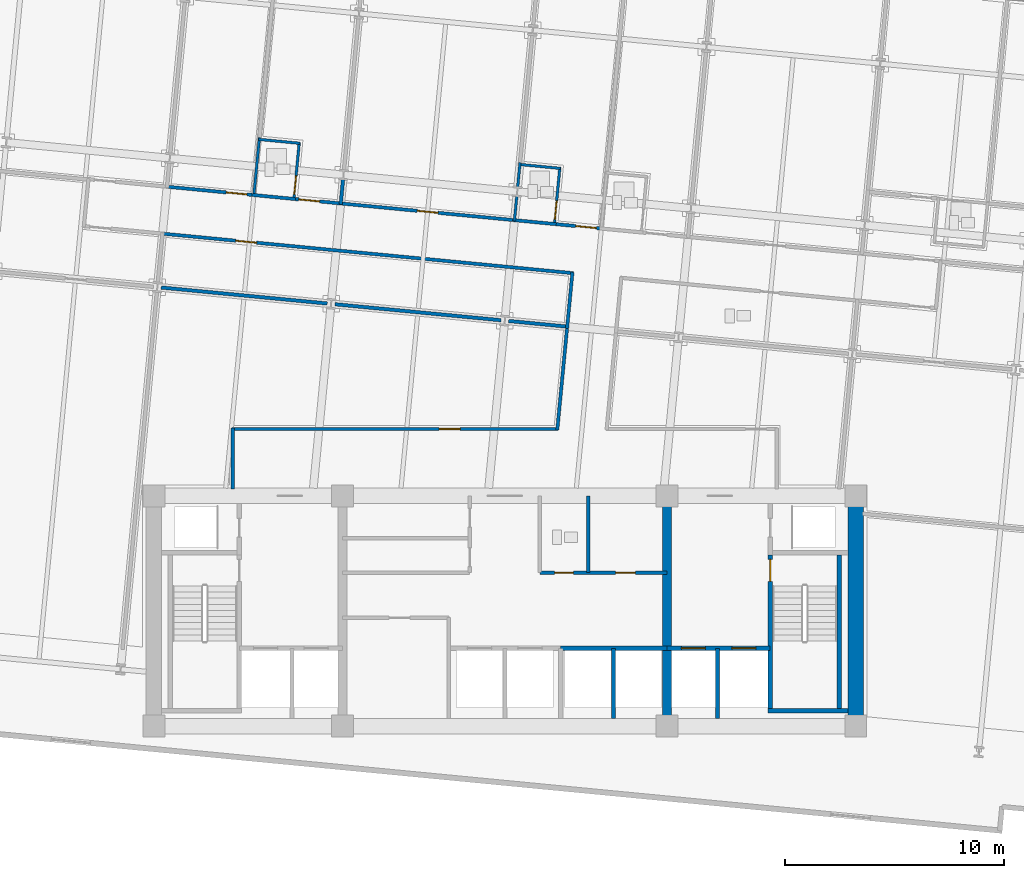
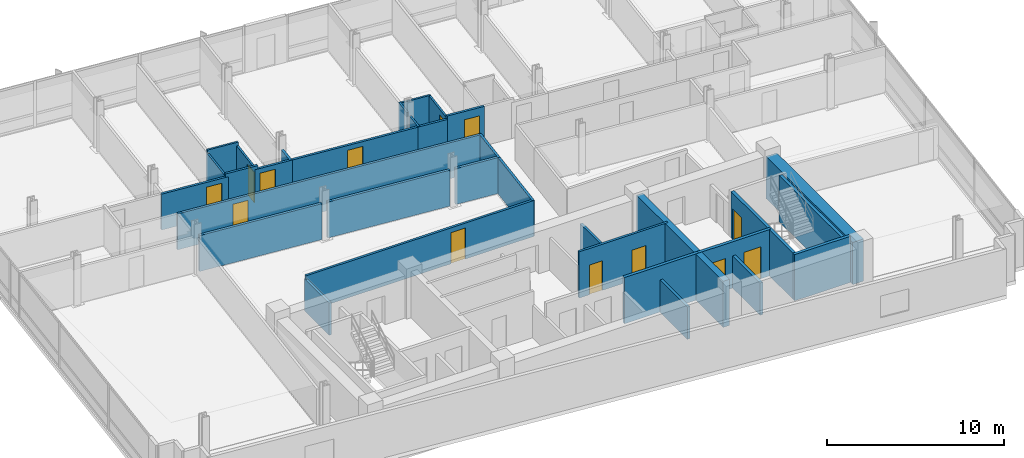
# One storey, part 11 of 17: 33 walls, 13 doors, 13 openings.
"""IFC4 building model written with IfcOpenShell, lengths in metres."""

from ifc_helpers import new_model, si_unit, direction, frame, frame_2d, origin, place, context, subcontext, project, spatial, rectangle, extrude, material, layer, layer_set, type_object, element, fill, save


model = new_model("IFC4")

# Units and contexts
model_context = context("Model", 3, precision=1e-05, world=origin(), true_north=direction((0.0, 1.0)))
body_context = subcontext(model_context, "Body", "Model", "MODEL_VIEW")
ifc_project = project(units=[si_unit("LENGTHUNIT", "METRE"), si_unit("AREAUNIT", "SQUARE_METRE"), si_unit("VOLUMEUNIT", "CUBIC_METRE"), si_unit("PLANEANGLEUNIT", "RADIAN"), si_unit("MASSUNIT", "GRAM", prefix="KILO")], contexts=[model_context])

# Site, building, storey
site_placement = place(None, origin())
site = spatial("IfcSite", under=ifc_project, at=site_placement, CompositionType="ELEMENT")
building_placement = place(site_placement, origin())
building = spatial("IfcBuilding", under=site, at=building_placement, Name="Solmavex Isthmus Hotel", CompositionType="ELEMENT")
storey_placement = place(building_placement, frame((0.0, 0.0, 173.85009765625)))
storey = spatial("IfcBuildingStorey", under=building, at=storey_placement, Name="L47", CompositionType="ELEMENT", Elevation=173.85009765625)

# Walls
ifc_material_1 = material(Name="Gypsum plasterboard lining", Category="gypsum")
ifc_layer_1 = layer(ifc_material_1, 0.159912109375)
ifc_layer_set_1 = layer_set([ifc_layer_1], Name="Gypsum plasterboard lining")
wall_type_1 = type_object("IfcWallType", Name="IW-COMP-160", PredefinedType="PARTITIONING", material=ifc_layer_set_1)
wall_1_placement = place(storey_placement, frame((-7.36865234375, 11.95849609375, 0.0), z_axis=(0.0, 0.0, 1.0), x_axis=(-0.095831494917, -0.995397571115, 0.0)))
element("IfcWall", 1, at=wall_1_placement, inside=storey, type_object=wall_type_1, Name="Interior Partition Wall W-L47-P034", PredefinedType="PARTITIONING", context=body_context, shape_type="SweptSolid", body=[
    extrude(rectangle(XDim=1.171875, YDim=0.159912109375, at=frame_2d((0.5859375, 0.0))), origin(), (0.0, 0.0, 1.0), 2.4794921875),
])
for number, where, z_axis, x_axis, name in (
    (2, (-8.09326171875, 6.269775390625, 0.0), (0.0, 0.0, 1.0), (-0.995396962155, 0.095837819954, 0.0), "Interior Partition Wall W-L47-P070"),
    (3, (-0.173828125, 5.507080078125, 0.0), (0.0, 0.0, 1.0), (-0.995393898805, 0.095869631385, 0.0), "Interior Partition Wall W-L47-P071"),
):
    element("IfcWall", number, at=place(storey_placement, frame(where, z_axis=z_axis, x_axis=x_axis)), inside=storey, type_object=wall_type_1, Name=name, PredefinedType="PARTITIONING", context=body_context, shape_type="SweptSolid", body=[
        extrude(rectangle(XDim=7.60400390625, YDim=0.159912109375, at=frame_2d((3.802001953125, 0.0))), origin(), (0.0, 0.0, 1.0), 2.4794921875),
    ])
wall_2_placement = place(storey_placement, frame((2.885986328125, 5.212646484375, 0.0), z_axis=(0.0, 0.0, 1.0), x_axis=(-0.995401466761, 0.095791022391, 0.0)))
element("IfcWall", 4, at=wall_2_placement, inside=storey, type_object=wall_type_1, Name="Interior Partition Wall W-L47-P072", PredefinedType="PARTITIONING", context=body_context, shape_type="SweptSolid", body=[
    extrude(rectangle(XDim=2.721923828125, YDim=0.159912109375, at=frame_2d((1.36083984375, 0.0))), origin(), (0.0, 0.0, 1.0), 2.4794921875),
])

# Wall, openings, doors
ifc_layer_2 = layer(ifc_material_1, 0.14990234375)
ifc_layer_set_2 = layer_set([ifc_layer_2], Name="Gypsum plasterboard lining")
wall_type_2 = type_object("IfcWallType", Name="IW-CORR-150", PredefinedType="PARTITIONING", material=ifc_layer_set_2)
wall_3_placement = place(storey_placement, frame((1.60009765625, -6.0, 0.0), z_axis=(0.0, 0.0, 1.0), x_axis=(1.0, 0.0, 0.0)))
wall_3 = element("IfcWall", 5, at=wall_3_placement, inside=storey, type_object=wall_type_2, Name="Interior Partition Wall W-L47-BOH-ES", PredefinedType="PARTITIONING", context=body_context, shape_type="SweptSolid", body=[
    extrude(rectangle(XDim=5.7998046875, YDim=0.14990234375, at=frame_2d((2.89990234375, 0.0))), origin(), (0.0, 0.0, 1.0), 3.18994140625),
])
opening_1_placement = place(wall_3_placement, frame((0.675048828125, 0.0, 0.0)))
opening_1 = element("IfcOpeningElement", 6, at=opening_1_placement, cuts=wall_3, Name="Opening ID-R085", PredefinedType="OPENING", context=body_context, shape_type="SweptSolid", body=[
    extrude(rectangle(XDim=0.85009765625, YDim=2.050048828125, at=frame_2d((0.425048828125, 1.02490234375))), frame((0.0, 0.0849609375, 0.0), z_axis=(0.0, -1.0, 0.0), x_axis=(1.0, 0.0, 0.0)), (0.0, 0.0, 1.0), 0.169921875),
])
opening_2_placement = place(wall_3_placement, frame((3.449951171875, 0.0, 0.0)))
opening_2 = element("IfcOpeningElement", 7, at=opening_2_placement, cuts=wall_3, Name="Opening ID-C090", PredefinedType="OPENING", context=body_context, shape_type="SweptSolid", body=[
    extrude(rectangle(XDim=0.89990234375, YDim=2.10009765625, at=frame_2d((0.449951171875, 1.050048828125))), frame((0.0, 0.0849609375, 0.0), z_axis=(0.0, -1.0, 0.0), x_axis=(1.0, 0.0, 0.0)), (0.0, 0.0, 1.0), 0.169921875),
])
ifc_material_2 = material(Name="Steel ASTM A500 Grade C", Category="steel")
door_type_1 = type_object("IfcDoorType", Name="IDR-FD60-0850", OperationType="NOTDEFINED", PredefinedType="DOOR", material=ifc_material_2)
door_1_placement = place(opening_1_placement, frame((0.85009765625, 0.0, 0.0), z_axis=(0.0, 0.0, 1.0), x_axis=(-1.0, 0.0, 0.0)))
door_1 = element("IfcDoor", 8, at=door_1_placement, inside=storey, type_object=door_type_1, Name="Staff WC Door L47", OperationType="SINGLE_SWING_LEFT", OverallHeight=2.050048828125, OverallWidth=0.85009765625, PredefinedType="DOOR", context=body_context, shape_type="SweptSolid", body=[
    extrude(rectangle(XDim=0.85009765625, YDim=2.050048828125, at=frame_2d((0.425048828125, 1.02490234375))), frame((0.0, 0.02490234375, 0.0), z_axis=(0.0, -1.0, 0.0), x_axis=(1.0, 0.0, 0.0)), (0.0, 0.0, 1.0), 0.050048828125),
])
fill(opening_1, door_1)
ifc_material_3 = material(Name="Hardwood timber", Category="wood")
door_type_2 = type_object("IfcDoorType", Name="IDR-FD60-0900", OperationType="NOTDEFINED", PredefinedType="DOOR", material=ifc_material_3)
door_2_placement = place(opening_2_placement, frame((0.89990234375, 0.0, 0.0), z_axis=(0.0, 0.0, 1.0), x_axis=(-1.0, 0.0, 0.0)))
door_2 = element("IfcDoor", 9, at=door_2_placement, inside=storey, type_object=door_type_2, Name="Room Service Door L47", OperationType="SINGLE_SWING_RIGHT", OverallHeight=2.10009765625, OverallWidth=0.89990234375, PredefinedType="DOOR", context=body_context, shape_type="SweptSolid", body=[
    extrude(rectangle(XDim=0.89990234375, YDim=2.10009765625, at=frame_2d((0.449951171875, 1.050048828125))), frame((0.0, 0.02490234375, 0.0), z_axis=(0.0, -1.0, 0.0), x_axis=(1.0, 0.0, 0.0)), (0.0, 0.0, 1.0), 0.050048828125),
])
fill(opening_2, door_2)

# Wall, opening, door
wall_4_placement = place(storey_placement, frame((-15.478271484375, 11.60205078125, 0.0), z_axis=(0.0, 0.0, 1.0), x_axis=(0.995396926245, -0.095838192922, 0.0)))
wall_4 = element("IfcWall", 10, at=wall_4_placement, inside=storey, type_object=wall_type_2, Name="Interior Partition Wall W-L47-P002", PredefinedType="PARTITIONING", context=body_context, shape_type="SweptSolid", body=[
    extrude(rectangle(XDim=4.14208984375, YDim=0.14990234375, at=frame_2d((2.071044921875, 0.0))), origin(), (0.0, 0.0, 1.0), 2.4794921875),
])
opening_3_placement = place(wall_4_placement, frame((2.790283203125, 0.0, 0.0)))
opening_3 = element("IfcOpeningElement", 11, at=opening_3_placement, cuts=wall_4, Name="Opening ID-C095", PredefinedType="OPENING", context=body_context, shape_type="SweptSolid", body=[
    extrude(rectangle(XDim=0.949951171875, YDim=2.14990234375, at=frame_2d((0.47509765625, 1.074951171875))), frame((0.0, 0.0849609375, 0.0), z_axis=(0.0, -1.0, 0.0), x_axis=(1.0, 0.0, 0.0)), (0.0, 0.0, 1.0), 0.169921875),
])
door_type_3 = type_object("IfcDoorType", Name="IDR-FD60-0950", OperationType="NOTDEFINED", PredefinedType="DOOR", material=ifc_material_3)
door_3_placement = place(opening_3_placement, frame((0.949951171875, 0.0, 0.0), z_axis=(0.0, 0.0, 1.0), x_axis=(-1.0, 0.0, 0.0)))
door_3 = element("IfcDoor", 12, at=door_3_placement, inside=storey, type_object=door_type_3, Name="Consultation Care Room Door L47-02", OperationType="SINGLE_SWING_RIGHT", OverallHeight=2.14990234375, OverallWidth=0.949951171875, PredefinedType="DOOR", context=body_context, shape_type="SweptSolid", body=[
    extrude(rectangle(XDim=0.949951171875, YDim=2.14990234375, at=frame_2d((0.47509765625, 1.074951171875))), frame((0.0, 0.02490234375, 0.0), z_axis=(0.0, -1.0, 0.0), x_axis=(1.0, 0.0, 0.0)), (0.0, 0.0, 1.0), 0.050048828125),
])
fill(opening_3, door_3)

wall_5_placement = place(storey_placement, frame((-9.697021484375, 11.04541015625, 0.0), z_axis=(0.0, 0.0, 1.0), x_axis=(0.995393345625, -0.095875374756, 0.0)))
wall_5 = element("IfcWall", 13, at=wall_5_placement, inside=storey, type_object=wall_type_2, Name="Interior Partition Wall W-L47-P003", PredefinedType="PARTITIONING", context=body_context, shape_type="SweptSolid", body=[
    extrude(rectangle(XDim=2.312255859375, YDim=0.14990234375, at=frame_2d((1.15625, 0.0))), origin(), (0.0, 0.0, 1.0), 2.4794921875),
])
opening_4_placement = place(wall_5_placement, frame((0.30615234375, 0.0, 0.0)))
opening_4 = element("IfcOpeningElement", 14, at=opening_4_placement, cuts=wall_5, Name="Opening ID-C095", PredefinedType="OPENING", context=body_context, shape_type="SweptSolid", body=[
    extrude(rectangle(XDim=0.949951171875, YDim=2.14990234375, at=frame_2d((0.47509765625, 1.074951171875))), frame((0.0, 0.0849609375, 0.0), z_axis=(0.0, -1.0, 0.0), x_axis=(1.0, 0.0, 0.0)), (0.0, 0.0, 1.0), 0.169921875),
])
door_4_placement = place(opening_4_placement, frame((0.949951171875, 0.0, 0.0), z_axis=(0.0, 0.0, 1.0), x_axis=(-1.0, 0.0, 0.0)))
door_4 = element("IfcDoor", 15, at=door_4_placement, inside=storey, type_object=door_type_3, Name="Wellness Premier Suite Door L47-03", OperationType="SINGLE_SWING_LEFT", OverallHeight=2.14990234375, OverallWidth=0.949951171875, PredefinedType="DOOR", context=body_context, shape_type="SweptSolid", body=[
    extrude(rectangle(XDim=0.949951171875, YDim=2.14990234375, at=frame_2d((0.47509765625, 1.074951171875))), frame((0.0, 0.02490234375, 0.0), z_axis=(0.0, -1.0, 0.0), x_axis=(1.0, 0.0, 0.0)), (0.0, 0.0, 1.0), 0.050048828125),
])
fill(opening_4, door_4)

# Wall
wall_6_placement = place(storey_placement, frame((-11.5185546875, 11.220947265625, 0.0), z_axis=(0.0, 0.0, 1.0), x_axis=(0.995394211968, -0.095866379824, 0.0)))
element("IfcWall", 16, at=wall_6_placement, inside=storey, type_object=wall_type_2, Name="Interior Partition Wall W-L47-P004", PredefinedType="PARTITIONING", context=body_context, shape_type="SweptSolid", body=[
    extrude(rectangle(XDim=1.994140625, YDim=0.14990234375, at=frame_2d((0.9970703125, 0.0))), origin(), (0.0, 0.0, 1.0), 2.718017578125),
])

# Wall, opening, door
wall_7_placement = place(storey_placement, frame((-7.558837890625, 10.839599609375, 0.0), z_axis=(0.0, 0.0, 1.0), x_axis=(0.995395467524, -0.095853342309, 0.0)))
wall_7 = element("IfcWall", 17, at=wall_7_placement, inside=storey, type_object=wall_type_2, Name="Interior Partition Wall W-L47-P005", PredefinedType="PARTITIONING", context=body_context, shape_type="SweptSolid", body=[
    extrude(rectangle(XDim=8.119873046875, YDim=0.14990234375, at=frame_2d((4.06005859375, 0.0))), origin(), (0.0, 0.0, 1.0), 2.4794921875),
])
opening_5_placement = place(wall_7_placement, frame((3.5849609375, 0.0, 0.0)))
opening_5 = element("IfcOpeningElement", 18, at=opening_5_placement, cuts=wall_7, Name="Opening ID-C095", PredefinedType="OPENING", context=body_context, shape_type="SweptSolid", body=[
    extrude(rectangle(XDim=0.949951171875, YDim=2.14990234375, at=frame_2d((0.47509765625, 1.074951171875))), frame((0.0, 0.0849609375, 0.0), z_axis=(0.0, -1.0, 0.0), x_axis=(1.0, 0.0, 0.0)), (0.0, 0.0, 1.0), 0.169921875),
])
door_5_placement = place(opening_5_placement, frame((0.949951171875, 0.0, 0.0), z_axis=(0.0, 0.0, 1.0), x_axis=(-1.0, 0.0, 0.0)))
door_5 = element("IfcDoor", 19, at=door_5_placement, inside=storey, type_object=door_type_3, Name="Yoga and Fitness Studio Door L47-05", OperationType="SINGLE_SWING_LEFT", OverallHeight=2.14990234375, OverallWidth=0.949951171875, PredefinedType="DOOR", context=body_context, shape_type="SweptSolid", body=[
    extrude(rectangle(XDim=0.949951171875, YDim=2.14990234375, at=frame_2d((0.47509765625, 1.074951171875))), frame((0.0, 0.02490234375, 0.0), z_axis=(0.0, -1.0, 0.0), x_axis=(1.0, 0.0, 0.0)), (0.0, 0.0, 1.0), 0.050048828125),
])
fill(opening_5, door_5)

wall_8_placement = place(storey_placement, frame((2.181884765625, 9.901611328125, 0.0), z_axis=(0.0, 0.0, 1.0), x_axis=(0.995393345625, -0.095875374756, 0.0)))
wall_8 = element("IfcWall", 20, at=wall_8_placement, inside=storey, type_object=wall_type_2, Name="Interior Partition Wall W-L47-P006", PredefinedType="PARTITIONING", context=body_context, shape_type="SweptSolid", body=[
    extrude(rectangle(XDim=2.312255859375, YDim=0.14990234375, at=frame_2d((1.15625, 0.0))), origin(), (0.0, 0.0, 1.0), 2.718017578125),
])
opening_6_placement = place(wall_8_placement, frame((1.05615234375, 0.0, 0.0)))
opening_6 = element("IfcOpeningElement", 21, at=opening_6_placement, cuts=wall_8, Name="Opening ID-C095", PredefinedType="OPENING", context=body_context, shape_type="SweptSolid", body=[
    extrude(rectangle(XDim=0.949951171875, YDim=2.14990234375, at=frame_2d((0.47509765625, 1.074951171875))), frame((0.0, 0.0849609375, 0.0), z_axis=(0.0, -1.0, 0.0), x_axis=(1.0, 0.0, 0.0)), (0.0, 0.0, 1.0), 0.169921875),
])
door_6_placement = place(opening_6_placement, frame((0.949951171875, 0.0, 0.0), z_axis=(0.0, 0.0, 1.0), x_axis=(-1.0, 0.0, 0.0)))
door_6 = element("IfcDoor", 22, at=door_6_placement, inside=storey, type_object=door_type_3, Name="Spa Diplomatic Suite Door L47-06", OperationType="SINGLE_SWING_RIGHT", OverallHeight=2.14990234375, OverallWidth=0.949951171875, PredefinedType="DOOR", context=body_context, shape_type="SweptSolid", body=[
    extrude(rectangle(XDim=0.949951171875, YDim=2.14990234375, at=frame_2d((0.47509765625, 1.074951171875))), frame((0.0, 0.02490234375, 0.0), z_axis=(0.0, -1.0, 0.0), x_axis=(1.0, 0.0, 0.0)), (0.0, 0.0, 1.0), 0.050048828125),
])
fill(opening_6, door_6)

# Walls
wall_9_placement = place(storey_placement, frame((0.360595703125, 10.076904296875, 0.0), z_axis=(0.0, 0.0, 1.0), x_axis=(0.995404765434, -0.095756738414, 0.0)))
element("IfcWall", 23, at=wall_9_placement, inside=storey, type_object=wall_type_2, Name="Interior Partition Wall W-L47-P007", PredefinedType="PARTITIONING", context=body_context, shape_type="SweptSolid", body=[
    extrude(rectangle(XDim=1.993896484375, YDim=0.14990234375, at=frame_2d((0.9970703125, 0.0))), origin(), (0.0, 0.0, 1.0), 2.4794921875),
])
wall_10_placement = place(storey_placement, frame((2.83837890625, 5.134765625, 0.0), z_axis=(0.0, 0.0, 1.0), x_axis=(0.095772090971, 0.995403288417, 0.0)))
element("IfcWall", 24, at=wall_10_placement, inside=storey, type_object=wall_type_2, Name="Interior Partition Wall W-L47-P018", PredefinedType="PARTITIONING", context=body_context, shape_type="SweptSolid", body=[
    extrude(rectangle(XDim=2.572021484375, YDim=0.14990234375, at=frame_2d((1.2861328125, 0.0))), origin(), (0.0, 0.0, 1.0), 2.4794921875),
])

# Wall, opening, door
wall_11_placement = place(storey_placement, frame((3.120849609375, 7.6513671875, 0.0), z_axis=(0.0, 0.0, 1.0), x_axis=(-0.995397135603, 0.095836018457, 0.0)))
wall_11 = element("IfcWall", 25, at=wall_11_placement, inside=storey, type_object=wall_type_2, Name="Interior Partition Wall W-L47-P019", PredefinedType="PARTITIONING", context=body_context, shape_type="SweptSolid", body=[
    extrude(rectangle(XDim=18.89208984375, YDim=0.14990234375, at=frame_2d((9.446044921875, 0.0))), origin(), (0.0, 0.0, 1.0), 2.4794921875),
])
opening_7_placement = place(wall_11_placement, frame((14.501708984375, 0.0, 0.0)))
opening_7 = element("IfcOpeningElement", 26, at=opening_7_placement, cuts=wall_11, Name="Opening ID-C095", PredefinedType="OPENING", context=body_context, shape_type="SweptSolid", body=[
    extrude(rectangle(XDim=0.949951171875, YDim=2.14990234375, at=frame_2d((0.47509765625, 1.074951171875))), frame((0.0, 0.0849609375, 0.0), z_axis=(0.0, -1.0, 0.0), x_axis=(1.0, 0.0, 0.0)), (0.0, 0.0, 1.0), 0.169921875),
])
door_7_placement = place(opening_7_placement, frame((0.949951171875, 0.0, 0.0), z_axis=(0.0, 0.0, 1.0), x_axis=(-1.0, 0.0, 0.0)))
door_7 = element("IfcDoor", 27, at=door_7_placement, inside=storey, type_object=door_type_3, Name="Catering Servery Kitchen Door L47-18", OperationType="SINGLE_SWING_RIGHT", OverallHeight=2.14990234375, OverallWidth=0.949951171875, PredefinedType="DOOR", context=body_context, shape_type="SweptSolid", body=[
    extrude(rectangle(XDim=0.949951171875, YDim=2.14990234375, at=frame_2d((0.47509765625, 1.074951171875))), frame((0.0, 0.02490234375, 0.0), z_axis=(0.0, -1.0, 0.0), x_axis=(1.0, 0.0, 0.0)), (0.0, 0.0, 1.0), 0.050048828125),
])
fill(opening_7, door_7)

# Wall
wall_12_placement = place(storey_placement, frame((-12.39990234375, -2.18994140625, 0.0), z_axis=(0.0, 0.0, 1.0), x_axis=(0.0, 1.0, 0.0)))
element("IfcWall", 28, at=wall_12_placement, inside=storey, type_object=wall_type_2, Name="Interior Partition Wall W-L47-P023", PredefinedType="PARTITIONING", context=body_context, shape_type="SweptSolid", body=[
    extrude(rectangle(XDim=2.780029296875, YDim=0.14990234375, at=frame_2d((1.39013671875, 0.0))), origin(), (0.0, 0.0, 1.0), 2.224853515625),
])

# Wall, opening, door
wall_13_placement = place(storey_placement, frame((-12.43994140625, 0.550048828125, 0.0), z_axis=(0.0, 0.0, 1.0), x_axis=(1.0, 0.0, 0.0)))
wall_13 = element("IfcWall", 29, at=wall_13_placement, inside=storey, type_object=wall_type_2, Name="Interior Partition Wall W-L47-P024", PredefinedType="PARTITIONING", context=body_context, shape_type="SweptSolid", body=[
    extrude(rectangle(XDim=14.876708984375, YDim=0.14990234375, at=frame_2d((7.4384765625, 0.0))), origin(), (0.0, 0.0, 1.0), 2.4794921875),
])
opening_8_placement = place(wall_13_placement, frame((9.44921875, 0.0, 0.0)))
opening_8 = element("IfcOpeningElement", 30, at=opening_8_placement, cuts=wall_13, Name="Opening ID-C095", PredefinedType="OPENING", context=body_context, shape_type="SweptSolid", body=[
    extrude(rectangle(XDim=0.949951171875, YDim=2.14990234375, at=frame_2d((0.47509765625, 1.074951171875))), frame((0.0, 0.0849609375, 0.0), z_axis=(0.0, -1.0, 0.0), x_axis=(1.0, 0.0, 0.0)), (0.0, 0.0, 1.0), 0.169921875),
])
door_8_placement = place(opening_8_placement, frame((0.949951171875, 0.0, 0.0), z_axis=(0.0, 0.0, 1.0), x_axis=(-1.0, 0.0, 0.0)))
door_8 = element("IfcDoor", 31, at=door_8_placement, inside=storey, type_object=door_type_3, Name="Catering Servery Kitchen Door L47-22", OperationType="SINGLE_SWING_RIGHT", OverallHeight=2.14990234375, OverallWidth=0.949951171875, PredefinedType="DOOR", context=body_context, shape_type="SweptSolid", body=[
    extrude(rectangle(XDim=0.949951171875, YDim=2.14990234375, at=frame_2d((0.47509765625, 1.074951171875))), frame((0.0, 0.02490234375, 0.0), z_axis=(0.0, -1.0, 0.0), x_axis=(1.0, 0.0, 0.0)), (0.0, 0.0, 1.0), 0.050048828125),
])
fill(opening_8, door_8)

# Walls
wall_14_placement = place(storey_placement, frame((2.39306640625, 0.51025390625, 0.0), z_axis=(0.0, 0.0, 1.0), x_axis=(0.095829431913, 0.995397769728, 0.0)))
element("IfcWall", 32, at=wall_14_placement, inside=storey, type_object=wall_type_2, Name="Interior Partition Wall W-L47-P025", PredefinedType="PARTITIONING", context=body_context, shape_type="SweptSolid", body=[
    extrude(rectangle(XDim=4.81005859375, YDim=0.14990234375, at=frame_2d((2.405029296875, 0.0))), origin(), (0.0, 0.0, 1.0), 2.4794921875),
])
ifc_layer_3 = layer(ifc_material_1, 0.1201171875)
ifc_layer_set_3 = layer_set([ifc_layer_3], Name="Gypsum plasterboard lining")
wall_type_3 = type_object("IfcWallType", Name="IW-PART-120", PredefinedType="PARTITIONING", material=ifc_layer_set_3)
wall_15_placement = place(storey_placement, frame((3.800048828125, -6.0, 0.0), z_axis=(0.0, 0.0, 1.0), x_axis=(0.0, 1.0, 0.0)))
element("IfcWall", 33, at=wall_15_placement, inside=storey, type_object=wall_type_3, Name="Interior Partition Wall W-L47-BOH-EM3", PredefinedType="PARTITIONING", context=body_context, shape_type="SweptSolid", body=[
    extrude(rectangle(XDim=3.5, YDim=0.14990234375, at=frame_2d((1.75, 0.0))), origin(), (0.0, 0.0, 1.0), 2.224853515625),
])
wall_16_placement = place(storey_placement, frame((-11.1845703125, 13.832763671875, 0.0), z_axis=(0.0, 0.0, 1.0), x_axis=(-0.095848206737, -0.99539596205, 0.0)))
element("IfcWall", 34, at=wall_16_placement, inside=storey, type_object=wall_type_3, Name="Interior Partition Wall W-L47-P031", PredefinedType="PARTITIONING", context=body_context, shape_type="SweptSolid", body=[
    extrude(rectangle(XDim=2.671875, YDim=0.1201171875, at=frame_2d((1.3359375, 0.0))), origin(), (0.0, 0.0, 1.0), 2.4794921875),
])

# Wall, opening, door
wall_17_placement = place(storey_placement, frame((-9.619384765625, 10.997802734375, 0.0), z_axis=(0.0, 0.0, 1.0), x_axis=(0.095891053428, 0.995391835345, 0.0)))
wall_17 = element("IfcWall", 35, at=wall_17_placement, inside=storey, type_object=wall_type_3, Name="Interior Partition Wall W-L47-P032", PredefinedType="PARTITIONING", context=body_context, shape_type="SweptSolid", body=[
    extrude(rectangle(XDim=2.630126953125, YDim=0.1201171875, at=frame_2d((1.31494140625, 0.0))), origin(), (0.0, 0.0, 1.0), 2.4794921875),
])
opening_9_placement = place(wall_17_placement, frame((0.247314453125, 0.0, 0.0)))
opening_9 = element("IfcOpeningElement", 36, at=opening_9_placement, cuts=wall_17, Name="Opening ID-U085", PredefinedType="OPENING", context=body_context, shape_type="SweptSolid", body=[
    extrude(rectangle(XDim=0.85009765625, YDim=2.10009765625, at=frame_2d((0.425048828125, 1.050048828125))), frame((0.0, 0.070068359375, 0.0), z_axis=(0.0, -1.0, 0.0), x_axis=(1.0, 0.0, 0.0)), (0.0, 0.0, 1.0), 0.14013671875),
])
door_type_4 = type_object("IfcDoorType", Name="IDR-UNR-0850", OperationType="NOTDEFINED", PredefinedType="DOOR", material=ifc_material_3)
door_9_placement = place(opening_9_placement, origin())
door_9 = element("IfcDoor", 37, at=door_9_placement, inside=storey, type_object=door_type_4, Name="En-suite Bathroom Door L47-04", OperationType="SINGLE_SWING_RIGHT", OverallHeight=2.10009765625, OverallWidth=0.85009765625, PredefinedType="DOOR", context=body_context, shape_type="SweptSolid", body=[
    extrude(rectangle(XDim=0.85009765625, YDim=2.10009765625, at=frame_2d((0.425048828125, 1.050048828125))), frame((0.0, 0.02490234375, 0.0), z_axis=(0.0, -1.0, 0.0), x_axis=(1.0, 0.0, 0.0)), (0.0, 0.0, 1.0), 0.050048828125),
])
fill(opening_9, door_9)

# Walls
wall_18_placement = place(storey_placement, frame((-9.331298828125, 13.572021484375, 0.0), z_axis=(0.0, 0.0, 1.0), x_axis=(-0.995393793358, 0.095870726213, 0.0)))
element("IfcWall", 38, at=wall_18_placement, inside=storey, type_object=wall_type_3, Name="Interior Partition Wall W-L47-P033", PredefinedType="PARTITIONING", context=body_context, shape_type="SweptSolid", body=[
    extrude(rectangle(XDim=1.909912109375, YDim=0.1201171875, at=frame_2d((0.955078125, 0.0))), origin(), (0.0, 0.0, 1.0), 2.718017578125),
])
wall_19_placement = place(storey_placement, frame((0.55078125, 11.196044921875, 0.0), z_axis=(0.0, 0.0, 1.0), x_axis=(-0.096017994315, -0.995379598328, 0.0)))
element("IfcWall", 39, at=wall_19_placement, inside=storey, type_object=wall_type_3, Name="Interior Partition Wall W-L47-P039", PredefinedType="PARTITIONING", context=body_context, shape_type="SweptSolid", body=[
    extrude(rectangle(XDim=1.172119140625, YDim=0.1201171875, at=frame_2d((0.5859375, 0.0))), origin(), (0.0, 0.0, 1.0), 2.4794921875),
])
wall_20_placement = place(storey_placement, frame((0.6943359375, 12.68896484375, 0.0), z_axis=(0.0, 0.0, 1.0), x_axis=(-0.095712406644, -0.9954090291, 0.0)))
element("IfcWall", 40, at=wall_20_placement, inside=storey, type_object=wall_type_3, Name="Interior Partition Wall W-L47-P040", PredefinedType="PARTITIONING", context=body_context, shape_type="SweptSolid", body=[
    extrude(rectangle(XDim=1.14794921875, YDim=0.1201171875, at=frame_2d((0.573974609375, 0.0))), origin(), (0.0, 0.0, 1.0), 2.4794921875),
])

# Wall, opening, door
wall_21_placement = place(storey_placement, frame((2.259765625, 9.85400390625, 0.0), z_axis=(0.0, 0.0, 1.0), x_axis=(0.095891053428, 0.995391835345, 0.0)))
wall_21 = element("IfcWall", 41, at=wall_21_placement, inside=storey, type_object=wall_type_3, Name="Interior Partition Wall W-L47-P041", PredefinedType="PARTITIONING", context=body_context, shape_type="SweptSolid", body=[
    extrude(rectangle(XDim=2.630126953125, YDim=0.1201171875, at=frame_2d((1.31494140625, 0.0))), origin(), (0.0, 0.0, 1.0), 2.4794921875),
])
opening_10_placement = place(wall_21_placement, frame((0.247314453125, 0.0, 0.0)))
opening_10 = element("IfcOpeningElement", 42, at=opening_10_placement, cuts=wall_21, Name="Opening ID-U085", PredefinedType="OPENING", context=body_context, shape_type="SweptSolid", body=[
    extrude(rectangle(XDim=0.85009765625, YDim=2.10009765625, at=frame_2d((0.425048828125, 1.050048828125))), frame((0.0, 0.070068359375, 0.0), z_axis=(0.0, -1.0, 0.0), x_axis=(1.0, 0.0, 0.0)), (0.0, 0.0, 1.0), 0.14013671875),
])
door_10_placement = place(opening_10_placement, frame((0.85009765625, 0.0, 0.0), z_axis=(0.0, 0.0, 1.0), x_axis=(-1.0, 0.0, 0.0)))
door_10 = element("IfcDoor", 43, at=door_10_placement, inside=storey, type_object=door_type_4, Name="En-suite Bathroom Door L47-07", OperationType="SINGLE_SWING_LEFT", OverallHeight=2.10009765625, OverallWidth=0.85009765625, PredefinedType="DOOR", context=body_context, shape_type="SweptSolid", body=[
    extrude(rectangle(XDim=0.85009765625, YDim=2.10009765625, at=frame_2d((0.425048828125, 1.050048828125))), frame((0.0, 0.02490234375, 0.0), z_axis=(0.0, -1.0, 0.0), x_axis=(1.0, 0.0, 0.0)), (0.0, 0.0, 1.0), 0.050048828125),
])
fill(opening_10, door_10)

# Walls
wall_22_placement = place(storey_placement, frame((2.5478515625, 12.42822265625, 0.0), z_axis=(0.0, 0.0, 1.0), x_axis=(-0.995393793358, 0.095870726213, 0.0)))
element("IfcWall", 44, at=wall_22_placement, inside=storey, type_object=wall_type_3, Name="Interior Partition Wall W-L47-P042", PredefinedType="PARTITIONING", context=body_context, shape_type="SweptSolid", body=[
    extrude(rectangle(XDim=1.909912109375, YDim=0.1201171875, at=frame_2d((0.955078125, 0.0))), origin(), (0.0, 0.0, 1.0), 2.4794921875),
])
ifc_material_4 = material(Name="Concrete C40/50", Category="concrete")
ifc_layer_4 = layer(ifc_material_4, 0.179931640625)
ifc_layer_set_4 = layer_set([ifc_layer_4], Name="Concrete C40/50")
wall_type_4 = type_object("IfcWallType", Name="IW-SHAFT-180", PredefinedType="PARTITIONING", material=ifc_layer_set_4)
wall_23_placement = place(storey_placement, frame((4.949951171875, -12.64990234375, 0.0), z_axis=(0.0, 0.0, 1.0), x_axis=(0.0, 1.0, 0.0)))
element("IfcWall", 45, at=wall_23_placement, inside=storey, type_object=wall_type_4, Name="Interior Partition Wall W-L47-SH-PLH-M", PredefinedType="PARTITIONING", context=body_context, shape_type="SweptSolid", body=[
    extrude(rectangle(XDim=3.199951171875, YDim=0.179931640625, at=frame_2d((1.60009765625, 0.0))), origin(), (0.0, 0.0, 1.0), 2.224853515625),
])

# Wall, openings, doors
ifc_layer_5 = layer(ifc_material_4, 0.199951171875)
ifc_layer_set_5 = layer_set([ifc_layer_5], Name="Concrete C40/50")
wall_type_5 = type_object("IfcWallType", Name="IW-SHAFT-200", PredefinedType="PARTITIONING", material=ifc_layer_set_5)
wall_24_placement = place(storey_placement, frame((7.39990234375, -9.449951171875, 0.0), z_axis=(0.0, 0.0, 1.0), x_axis=(1.0, 0.0, 0.0)))
wall_24 = element("IfcWall", 46, at=wall_24_placement, inside=storey, type_object=wall_type_5, Name="Interior Partition Wall W-L47-FFLE-S", PredefinedType="PARTITIONING", context=body_context, shape_type="SweptSolid", body=[
    extrude(rectangle(XDim=4.7001953125, YDim=0.199951171875, at=frame_2d((2.35009765625, 0.0))), origin(), (0.0, 0.0, 1.0), 3.18994140625),
])
opening_11_placement = place(wall_24_placement, frame((2.949951171875, 0.0, 0.0)))
opening_11 = element("IfcOpeningElement", 47, at=opening_11_placement, cuts=wall_24, Name="Opening LD-FF", PredefinedType="OPENING", context=body_context, shape_type="SweptSolid", body=[
    extrude(rectangle(XDim=1.10009765625, YDim=2.199951171875, at=frame_2d((0.550048828125, 1.10009765625))), frame((0.0, 0.10986328125, 0.0), z_axis=(0.0, -1.0, 0.0), x_axis=(1.0, 0.0, 0.0)), (0.0, 0.0, 1.0), 0.219970703125),
])
opening_12_placement = place(wall_24_placement, frame((0.64990234375, 0.0, 0.0)))
opening_12 = element("IfcOpeningElement", 48, at=opening_12_placement, cuts=wall_24, Name="Opening LD-SV", PredefinedType="OPENING", context=body_context, shape_type="SweptSolid", body=[
    extrude(rectangle(XDim=1.10009765625, YDim=2.199951171875, at=frame_2d((0.550048828125, 1.10009765625))), frame((0.0, 0.10986328125, 0.0), z_axis=(0.0, -1.0, 0.0), x_axis=(1.0, 0.0, 0.0)), (0.0, 0.0, 1.0), 0.219970703125),
])
ifc_material_5 = material(Name="Stainless steel 316", Category="steel")
door_type_5 = type_object("IfcDoorType", Name="LDR-FF-1100", OperationType="NOTDEFINED", PredefinedType="DOOR", material=ifc_material_5)
door_11_placement = place(opening_11_placement, origin())
door_11 = element("IfcDoor", 49, at=door_11_placement, inside=storey, type_object=door_type_5, Name="Lift Landing Door FFL-2 L47", OperationType="SLIDING_TO_LEFT", OverallHeight=2.199951171875, OverallWidth=1.10009765625, PredefinedType="DOOR", context=body_context, shape_type="SweptSolid", body=[
    extrude(rectangle(XDim=1.10009765625, YDim=2.199951171875, at=frame_2d((0.550048828125, 1.10009765625))), frame((0.0, 0.02490234375, 0.0), z_axis=(0.0, -1.0, 0.0), x_axis=(1.0, 0.0, 0.0)), (0.0, 0.0, 1.0), 0.050048828125),
])
fill(opening_11, door_11)
door_type_6 = type_object("IfcDoorType", Name="LDR-SV-1100", OperationType="NOTDEFINED", PredefinedType="DOOR", material=ifc_material_5)
door_12_placement = place(opening_12_placement, origin())
door_12 = element("IfcDoor", 50, at=door_12_placement, inside=storey, type_object=door_type_6, Name="Lift Landing Door SVL-2 L47", OperationType="SLIDING_TO_RIGHT", OverallHeight=2.199951171875, OverallWidth=1.10009765625, PredefinedType="DOOR", context=body_context, shape_type="SweptSolid", body=[
    extrude(rectangle(XDim=1.10009765625, YDim=2.199951171875, at=frame_2d((0.550048828125, 1.10009765625))), frame((0.0, 0.02490234375, 0.0), z_axis=(0.0, -1.0, 0.0), x_axis=(1.0, 0.0, 0.0)), (0.0, 0.0, 1.0), 0.050048828125),
])
fill(opening_12, door_12)

# Walls
wall_25_placement = place(storey_placement, frame((9.699951171875, -12.64990234375, 0.0), z_axis=(0.0, 0.0, 1.0), x_axis=(0.0, 1.0, 0.0)))
element("IfcWall", 51, at=wall_25_placement, inside=storey, type_object=wall_type_5, Name="Interior Partition Wall W-L47-FFLE-M", PredefinedType="PARTITIONING", context=body_context, shape_type="SweptSolid", body=[
    extrude(rectangle(XDim=3.199951171875, YDim=0.199951171875, at=frame_2d((1.60009765625, 0.0))), origin(), (0.0, 0.0, 1.0), 2.224853515625),
])
wall_26_placement = place(storey_placement, frame((2.550048828125, -9.449951171875, 0.0), z_axis=(0.0, 0.0, 1.0), x_axis=(1.0, 0.0, 0.0)))
element("IfcWall", 52, at=wall_26_placement, inside=storey, type_object=wall_type_5, Name="Interior Partition Wall W-L47-SH-PLH", PredefinedType="PARTITIONING", context=body_context, shape_type="SweptSolid", body=[
    extrude(rectangle(XDim=4.849853515625, YDim=0.199951171875, at=frame_2d((2.4248046875, 0.0))), origin(), (0.0, 0.0, 1.0), 3.18994140625),
])
ifc_material_6 = material(Name="Concrete C60/75", Category="concrete")
ifc_layer_6 = layer(ifc_material_6, 0.39990234375)
ifc_layer_set_6 = layer_set([ifc_layer_6], Name="Concrete C60/75")
wall_type_6 = type_object("IfcWallType", Name="WALL-CW-400M", PredefinedType="SHEAR", material=ifc_layer_set_6)
wall_27_placement = place(storey_placement, frame((7.39990234375, -12.64990234375, 0.0), z_axis=(0.0, 0.0, 1.0), x_axis=(0.0, 1.0, 0.0)))
element("IfcWall", 53, at=wall_27_placement, inside=storey, type_object=wall_type_6, Name="Core Cross Shear Wall C2 L47", PredefinedType="SHEAR", context=body_context, shape_type="SweptSolid", body=[
    extrude(rectangle(XDim=9.7998046875, YDim=0.39990234375, at=frame_2d((4.89990234375, 0.0))), origin(), (0.0, 0.0, 1.0), 3.18994140625),
])
ifc_layer_7 = layer(ifc_material_6, 0.699951171875)
ifc_layer_set_7 = layer_set([ifc_layer_7], Name="Concrete C60/75")
wall_type_7 = type_object("IfcWallType", Name="WALL-CW-700", PredefinedType="SHEAR", material=ifc_layer_set_7)
wall_28_placement = place(storey_placement, frame((16.0, -12.64990234375, 0.0), z_axis=(0.0, 0.0, 1.0), x_axis=(0.0, 1.0, 0.0)))
element("IfcWall", 54, at=wall_28_placement, inside=storey, type_object=wall_type_7, Name="Core Shear Wall East L47", PredefinedType="SHEAR", context=body_context, shape_type="SweptSolid", body=[
    extrude(rectangle(XDim=9.7998046875, YDim=0.699951171875, at=frame_2d((4.89990234375, 0.0))), origin(), (0.0, 0.0, 1.0), 2.909912109375),
])
ifc_layer_8 = layer(ifc_material_4, 0.199951171875)
ifc_layer_set_8 = layer_set([ifc_layer_8], Name="Concrete C40/50")
wall_type_8 = type_object("IfcWallType", Name="WALL-SW-200", PredefinedType="SOLIDWALL", material=ifc_layer_set_8)
wall_29_placement = place(storey_placement, frame((12.0, -12.300048828125, 0.0), z_axis=(0.0, 0.0, 1.0), x_axis=(1.0, 0.0, 0.0)))
element("IfcWall", 55, at=wall_29_placement, inside=storey, type_object=wall_type_8, Name="Stairwell Structural Wall SW-L47-ST2-S", PredefinedType="SOLIDWALL", context=body_context, shape_type="SweptSolid", body=[
    extrude(rectangle(XDim=3.64990234375, YDim=0.199951171875, at=frame_2d((1.824951171875, 0.0))), origin(), (0.0, 0.0, 1.0), 3.18994140625),
])

# Wall, opening, door
wall_30_placement = place(storey_placement, frame((12.10009765625, -12.199951171875, 0.0), z_axis=(0.0, 0.0, 1.0), x_axis=(0.0, 1.0, 0.0)))
wall_30 = element("IfcWall", 56, at=wall_30_placement, inside=storey, type_object=wall_type_8, Name="Stairwell Structural Wall SW-L47-ST2-W", PredefinedType="SOLIDWALL", context=body_context, shape_type="SweptSolid", body=[
    extrude(rectangle(XDim=7.0, YDim=0.199951171875, at=frame_2d((3.5, 0.0))), origin(), (0.0, 0.0, 1.0), 3.18994140625),
])
opening_13_placement = place(wall_30_placement, frame((5.800048828125, 0.0, 0.0)))
opening_13 = element("IfcOpeningElement", 57, at=opening_13_placement, cuts=wall_30, Name="Opening ID-F100", PredefinedType="OPENING", context=body_context, shape_type="SweptSolid", body=[
    extrude(rectangle(XDim=1.0, YDim=2.10009765625, at=frame_2d((0.5, 1.050048828125))), frame((0.0, 0.10986328125, 0.0), z_axis=(0.0, -1.0, 0.0), x_axis=(1.0, 0.0, 0.0)), (0.0, 0.0, 1.0), 0.219970703125),
])
door_type_7 = type_object("IfcDoorType", Name="IDR-FD90-1000", OperationType="NOTDEFINED", PredefinedType="DOOR", material=ifc_material_2)
door_13_placement = place(opening_13_placement, origin())
door_13 = element("IfcDoor", 58, at=door_13_placement, inside=storey, type_object=door_type_7, Name="Stair ST-2 Fire Door L47", OperationType="SINGLE_SWING_RIGHT", OverallHeight=2.10009765625, OverallWidth=1.0, PredefinedType="DOOR", context=body_context, shape_type="SweptSolid", body=[
    extrude(rectangle(XDim=1.0, YDim=2.10009765625, at=frame_2d((0.5, 1.050048828125))), frame((0.0, 0.02490234375, 0.0), z_axis=(0.0, -1.0, 0.0), x_axis=(1.0, 0.0, 0.0)), (0.0, 0.0, 1.0), 0.050048828125),
])
fill(opening_13, door_13)

# Wall
wall_31_placement = place(storey_placement, frame((15.25, -12.199951171875, 0.0), z_axis=(0.0, 0.0, 1.0), x_axis=(0.0, 1.0, 0.0)))
element("IfcWall", 59, at=wall_31_placement, inside=storey, type_object=wall_type_8, Name="Stairwell Structural Wall SW-L47-ST2-E", PredefinedType="SOLIDWALL", context=body_context, shape_type="SweptSolid", body=[
    extrude(rectangle(XDim=7.0, YDim=0.199951171875, at=frame_2d((3.5, 0.0))), origin(), (0.0, 0.0, 1.0), 3.18994140625),
])

save(model, "model.ifc")
